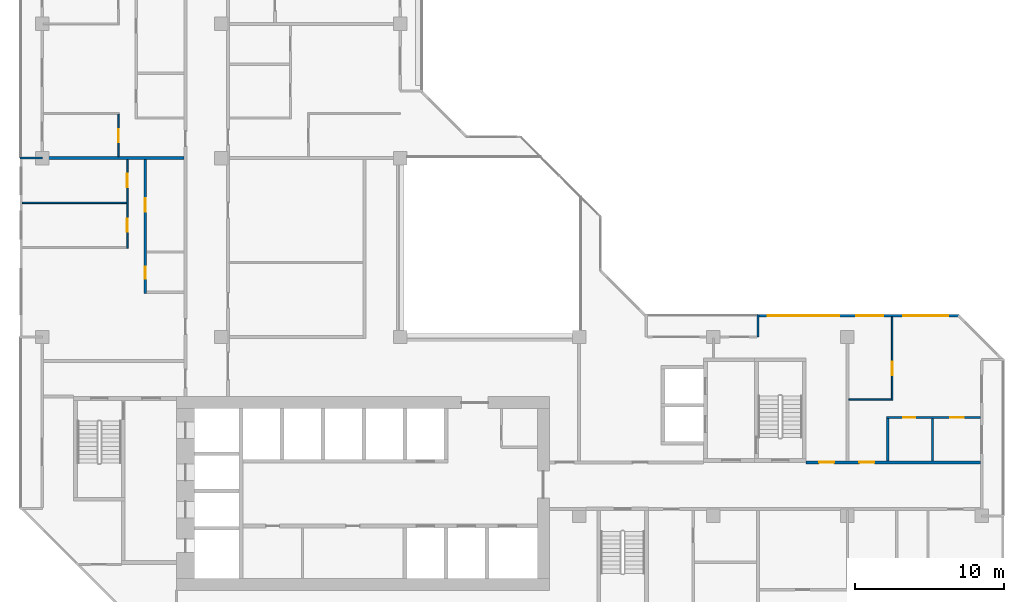
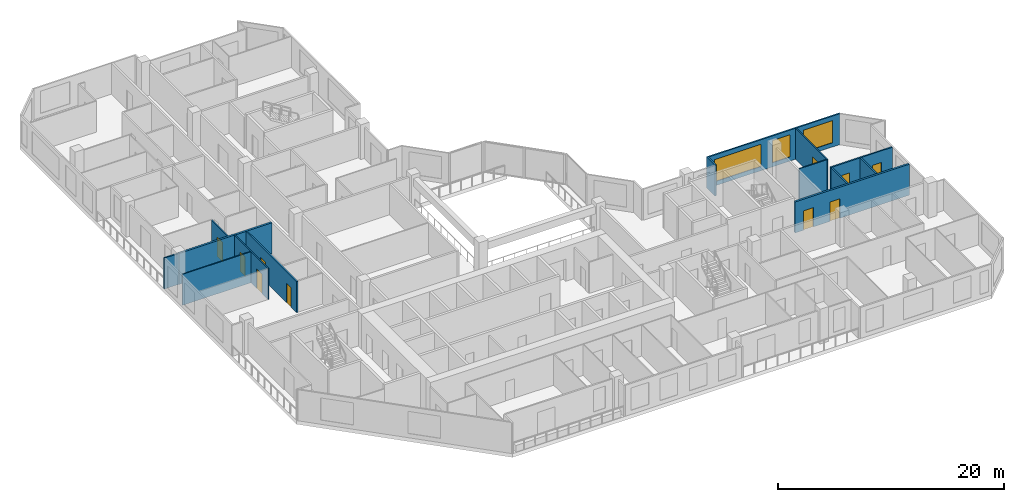
# One storey, part 8 of 14: 14 walls, 10 doors, 3 windows, 13 openings.
"""IFC4 building model written with IfcOpenShell, lengths in metres."""

from ifc_helpers import new_model, si_unit, direction, frame, frame_2d, origin, place, context, subcontext, project, spatial, rectangle, extrude, material, layer, layer_set, type_object, element, fill, save


model = new_model("IFC4")

# Units and contexts
model_context = context("Model", 3, precision=1e-05, world=origin(), true_north=direction((0.0, 1.0)))
body_context = subcontext(model_context, "Body", "Model", "MODEL_VIEW")
ifc_project = project(units=[si_unit("LENGTHUNIT", "METRE"), si_unit("AREAUNIT", "SQUARE_METRE"), si_unit("VOLUMEUNIT", "CUBIC_METRE"), si_unit("PLANEANGLEUNIT", "RADIAN"), si_unit("MASSUNIT", "GRAM", prefix="KILO")], contexts=[model_context])

# Site, building, storey
site_placement = place(None, origin())
site = spatial("IfcSite", under=ifc_project, at=site_placement, CompositionType="ELEMENT")
building_placement = place(site_placement, origin())
building = spatial("IfcBuilding", under=site, at=building_placement, Name="Chenar Terraces", CompositionType="ELEMENT")
storey_placement = place(building_placement, frame((0.0, 0.0, 183.64990234375)))
storey = spatial("IfcBuildingStorey", under=building, at=storey_placement, Name="L42", CompositionType="ELEMENT", Elevation=183.64990234375)

# Wall, openings, doors
ifc_material_1 = material(Name="Gypsum board on steel studs with fire boards", Category="steel")
ifc_layer_1 = layer(ifc_material_1, 0.199951171875)
ifc_layer_set_1 = layer_set([ifc_layer_1], Name="Gypsum board on steel studs with fire boards")
wall_type_1 = type_object("IfcWallType", Name="Corridor wall 200", PredefinedType="PARTITIONING", material=ifc_layer_set_1)
wall_1_placement = place(storey_placement, frame((51.22509765625, 15.60009765625, 0.0), z_axis=(0.0, 0.0, 1.0), x_axis=(1.0, 0.0, 0.0)))
wall_1 = element("IfcWall", 1, at=wall_1_placement, inside=storey, type_object=wall_type_1, Name="Partition L42-074", PredefinedType="PARTITIONING", context=body_context, shape_type="SweptSolid", body=[
    extrude(rectangle(XDim=11.700927734375, YDim=0.199951171875, at=frame_2d((5.8505859375, 0.0))), origin(), (0.0, 0.0, 1.0), 3.35009765625),
])
opening_1_placement = place(wall_1_placement, frame((3.574951171875, 0.0, 0.0)))
opening_1 = element("IfcOpeningElement", 2, at=opening_1_placement, cuts=wall_1, Name="Opening DL42-7", PredefinedType="OPENING", context=body_context, shape_type="SweptSolid", body=[
    extrude(rectangle(XDim=1.0, YDim=2.10009765625, at=frame_2d((0.5, 1.050048828125))), frame((0.0, 0.10986328125, 0.0), z_axis=(0.0, -1.0, 0.0), x_axis=(1.0, 0.0, 0.0)), (0.0, 0.0, 1.0), 0.219970703125),
])
opening_2_placement = place(wall_1_placement, frame((0.875, 0.0, 0.0)))
opening_2 = element("IfcOpeningElement", 3, at=opening_2_placement, cuts=wall_1, Name="Opening DL42-38", PredefinedType="OPENING", context=body_context, shape_type="SweptSolid", body=[
    extrude(rectangle(XDim=1.0, YDim=2.10009765625, at=frame_2d((0.5, 1.050048828125))), frame((0.0, 0.10986328125, 0.0), z_axis=(0.0, -1.0, 0.0), x_axis=(1.0, 0.0, 0.0)), (0.0, 0.0, 1.0), 0.219970703125),
])
ifc_material_2 = material(Name="Steel-framed fire-resisting door leaf", Category="steel")
door_type_1 = type_object("IfcDoorType", Name="Fire door FD30S 1000 x 2100", OperationType="SINGLE_SWING_LEFT", PredefinedType="DOOR", material=ifc_material_2)
door_1_placement = place(opening_1_placement, origin())
door_1 = element("IfcDoor", 4, at=door_1_placement, inside=storey, type_object=door_type_1, Name="Door DL42-7", OperationType="SINGLE_SWING_LEFT", OverallHeight=2.10009765625, OverallWidth=1.0, PredefinedType="DOOR", context=body_context, shape_type="SweptSolid", body=[
    extrude(rectangle(XDim=1.0, YDim=2.10009765625, at=frame_2d((0.5, 1.050048828125))), frame((0.0, 0.02490234375, 0.0), z_axis=(0.0, -1.0, 0.0), x_axis=(1.0, 0.0, 0.0)), (0.0, 0.0, 1.0), 0.050048828125),
])
fill(opening_1, door_1)
door_2_placement = place(opening_2_placement, origin())
door_2 = element("IfcDoor", 5, at=door_2_placement, inside=storey, type_object=door_type_1, Name="Door DL42-38", OperationType="SINGLE_SWING_RIGHT", OverallHeight=2.10009765625, OverallWidth=1.0, PredefinedType="DOOR", context=body_context, shape_type="SweptSolid", body=[
    extrude(rectangle(XDim=1.0, YDim=2.10009765625, at=frame_2d((0.5, 1.050048828125))), frame((0.0, 0.02490234375, 0.0), z_axis=(0.0, -1.0, 0.0), x_axis=(1.0, 0.0, 0.0)), (0.0, 0.0, 1.0), 0.050048828125),
])
fill(opening_2, door_2)

# Wall, openings, windows
ifc_material_3 = material(Name="Aluminium framed glazing", Category="aluminium")
ifc_layer_2 = layer(ifc_material_3, 0.14990234375)
ifc_layer_set_2 = layer_set([ifc_layer_2], Name="Aluminium framed glazing")
wall_type_2 = type_object("IfcWallType", Name="Glazed flush facade wall 150", PredefinedType="SOLIDWALL", material=ifc_layer_set_2)
wall_2_placement = place(storey_placement, frame((61.5, 25.425048828125, 0.0), z_axis=(0.0, 0.0, 1.0), x_axis=(-1.0, 0.0, 0.0)))
wall_2 = element("IfcWall", 6, at=wall_2_placement, inside=storey, type_object=wall_type_2, Name="Glazed flush facade wall", PredefinedType="SOLIDWALL", context=body_context, shape_type="SweptSolid", body=[
    extrude(rectangle(XDim=13.425048828125, YDim=0.14990234375, at=frame_2d((6.71240234375, 0.0))), origin(), (0.0, 0.0, 1.0), 3.35009765625),
])
opening_3_placement = place(wall_2_placement, frame((0.75, 0.0, 0.449951171875)))
opening_3 = element("IfcOpeningElement", 7, at=opening_3_placement, cuts=wall_2, Name="Opening W300x240", PredefinedType="OPENING", context=body_context, shape_type="SweptSolid", body=[
    extrude(rectangle(XDim=3.0, YDim=2.39990234375, at=frame_2d((1.5, 1.199951171875))), frame((0.0, 0.0849609375, 0.0), z_axis=(0.0, -1.0, 0.0), x_axis=(1.0, 0.0, 0.0)), (0.0, 0.0, 1.0), 0.169921875),
])
opening_4_placement = place(wall_2_placement, frame((5.10009765625, 0.0, 0.449951171875)))
opening_4 = element("IfcOpeningElement", 8, at=opening_4_placement, cuts=wall_2, Name="Opening W180x240", PredefinedType="OPENING", context=body_context, shape_type="SweptSolid", body=[
    extrude(rectangle(XDim=1.800048828125, YDim=2.39990234375, at=frame_2d((0.89990234375, 1.199951171875))), frame((0.0, 0.0849609375, 0.0), z_axis=(0.0, -1.0, 0.0), x_axis=(1.0, 0.0, 0.0)), (0.0, 0.0, 1.0), 0.169921875),
])
opening_5_placement = place(wall_2_placement, frame((8.0625, 0.0, 0.449951171875)))
opening_5 = element("IfcOpeningElement", 9, at=opening_5_placement, cuts=wall_2, Name="Opening W480x240", PredefinedType="OPENING", context=body_context, shape_type="SweptSolid", body=[
    extrude(rectangle(XDim=4.800048828125, YDim=2.39990234375, at=frame_2d((2.39990234375, 1.199951171875))), frame((0.0, 0.0849609375, 0.0), z_axis=(0.0, -1.0, 0.0), x_axis=(1.0, 0.0, 0.0)), (0.0, 0.0, 1.0), 0.169921875),
])
ifc_material_4 = material(Name="Low emissivity double glazing, aluminium frame", Category="aluminium")
window_type_1 = type_object("IfcWindowType", Name="Fixed light 1800 x 2400", PartitioningType="SINGLE_PANEL", PredefinedType="WINDOW", material=ifc_material_4)
window_1_placement = place(opening_4_placement, origin())
window_1 = element("IfcWindow", 10, at=window_1_placement, inside=storey, type_object=window_type_1, Name="Window", OverallHeight=2.39990234375, OverallWidth=1.800048828125, PartitioningType="SINGLE_PANEL", PredefinedType="WINDOW", context=body_context, shape_type="SweptSolid", body=[
    extrude(rectangle(XDim=1.800048828125, YDim=2.39990234375, at=frame_2d((0.89990234375, 1.199951171875))), frame((0.0, 0.030029296875, 0.0), z_axis=(0.0, -1.0, 0.0), x_axis=(1.0, 0.0, 0.0)), (0.0, 0.0, 1.0), 0.06005859375),
])
fill(opening_4, window_1)
ifc_material_5 = material(Name="Low emissivity double glazing, aluminium frame", Category="aluminium")
window_type_2 = type_object("IfcWindowType", Name="Fixed light 3000 x 2400", PartitioningType="SINGLE_PANEL", PredefinedType="WINDOW", material=ifc_material_5)
window_2_placement = place(opening_3_placement, origin())
window_2 = element("IfcWindow", 11, at=window_2_placement, inside=storey, type_object=window_type_2, Name="Window", OverallHeight=2.39990234375, OverallWidth=3.0, PartitioningType="SINGLE_PANEL", PredefinedType="WINDOW", context=body_context, shape_type="SweptSolid", body=[
    extrude(rectangle(XDim=3.0, YDim=2.39990234375, at=frame_2d((1.5, 1.199951171875))), frame((0.0, 0.030029296875, 0.0), z_axis=(0.0, -1.0, 0.0), x_axis=(1.0, 0.0, 0.0)), (0.0, 0.0, 1.0), 0.06005859375),
])
fill(opening_3, window_2)
ifc_material_6 = material(Name="Low emissivity double glazing, aluminium frame", Category="aluminium")
window_type_3 = type_object("IfcWindowType", Name="Fixed light 4800 x 2400", PartitioningType="SINGLE_PANEL", PredefinedType="WINDOW", material=ifc_material_6)
window_3_placement = place(opening_5_placement, origin())
window_3 = element("IfcWindow", 12, at=window_3_placement, inside=storey, type_object=window_type_3, Name="Window", OverallHeight=2.39990234375, OverallWidth=4.800048828125, PartitioningType="SINGLE_PANEL", PredefinedType="WINDOW", context=body_context, shape_type="SweptSolid", body=[
    extrude(rectangle(XDim=4.800048828125, YDim=2.39990234375, at=frame_2d((2.39990234375, 1.199951171875))), frame((0.0, 0.030029296875, 0.0), z_axis=(0.0, -1.0, 0.0), x_axis=(1.0, 0.0, 0.0)), (0.0, 0.0, 1.0), 0.06005859375),
])
fill(opening_5, window_3)

# Wall
ifc_material_7 = material(Name="Gypsum board on steel studs", Category="steel")
ifc_layer_3 = layer(ifc_material_7, 0.10009765625)
ifc_layer_set_3 = layer_set([ifc_layer_3], Name="Gypsum board on steel studs")
wall_type_3 = type_object("IfcWallType", Name="Gypsum partition 100", PredefinedType="PARTITIONING", material=ifc_layer_set_3)
wall_3_placement = place(storey_placement, frame((-1.35107421875, 33.0, 0.0), z_axis=(0.0, 0.0, 1.0), x_axis=(1.0, 0.0, 0.0)))
element("IfcWall", 13, at=wall_3_placement, inside=storey, type_object=wall_type_3, Name="Partition L42-001", PredefinedType="PARTITIONING", context=body_context, shape_type="SweptSolid", body=[
    extrude(rectangle(XDim=7.0009765625, YDim=0.10009765625, at=frame_2d((3.50048828125, 0.0))), origin(), (0.0, 0.0, 1.0), 3.35009765625),
])

# Wall, opening, door
wall_4_placement = place(storey_placement, frame((5.10009765625, 36.10009765625, 0.0), z_axis=(0.0, 0.0, 1.0), x_axis=(0.0, 1.0, 0.0)))
wall_4 = element("IfcWall", 14, at=wall_4_placement, inside=storey, type_object=wall_type_3, Name="Partition L42-013", PredefinedType="PARTITIONING", context=body_context, shape_type="SweptSolid", body=[
    extrude(rectangle(XDim=2.849853515625, YDim=0.10009765625, at=frame_2d((1.4248046875, 0.0))), origin(), (0.0, 0.0, 1.0), 3.35009765625),
])
opening_6_placement = place(wall_4_placement, frame((0.949951171875, 0.0, 0.0)))
opening_6 = element("IfcOpeningElement", 15, at=opening_6_placement, cuts=wall_4, Name="Opening DL42-24", PredefinedType="OPENING", context=body_context, shape_type="SweptSolid", body=[
    extrude(rectangle(XDim=0.89990234375, YDim=2.10009765625, at=frame_2d((0.449951171875, 1.050048828125))), frame((0.0, 0.06005859375, 0.0), z_axis=(0.0, -1.0, 0.0), x_axis=(1.0, 0.0, 0.0)), (0.0, 0.0, 1.0), 0.1201171875),
])
ifc_material_8 = material(Name="Veneered timber door leaf", Category="wood")
door_type_2 = type_object("IfcDoorType", Name="Door 900 x 2100", OperationType="SINGLE_SWING_LEFT", PredefinedType="DOOR", material=ifc_material_8)
door_3_placement = place(opening_6_placement, origin())
door_3 = element("IfcDoor", 16, at=door_3_placement, inside=storey, type_object=door_type_2, Name="Door DL42-24", OperationType="SINGLE_SWING_RIGHT", OverallHeight=2.10009765625, OverallWidth=0.89990234375, PredefinedType="DOOR", context=body_context, shape_type="SweptSolid", body=[
    extrude(rectangle(XDim=0.89990234375, YDim=2.10009765625, at=frame_2d((0.449951171875, 1.050048828125))), frame((0.0, 0.02490234375, 0.0), z_axis=(0.0, -1.0, 0.0), x_axis=(1.0, 0.0, 0.0)), (0.0, 0.0, 1.0), 0.050048828125),
])
fill(opening_6, door_3)

# Wall, openings, doors
wall_5_placement = place(storey_placement, frame((5.699951171875, 29.949951171875, 0.0), z_axis=(0.0, 0.0, 1.0), x_axis=(0.0, 1.0, 0.0)))
wall_5 = element("IfcWall", 17, at=wall_5_placement, inside=storey, type_object=wall_type_3, Name="Partition L42-018", PredefinedType="PARTITIONING", context=body_context, shape_type="SweptSolid", body=[
    extrude(rectangle(XDim=5.949951171875, YDim=0.10009765625, at=frame_2d((2.97509765625, 0.0))), origin(), (0.0, 0.0, 1.0), 3.35009765625),
])
opening_7_placement = place(wall_5_placement, frame((1.10009765625, 0.0, 0.0)))
opening_7 = element("IfcOpeningElement", 18, at=opening_7_placement, cuts=wall_5, Name="Opening DL42-54", PredefinedType="OPENING", context=body_context, shape_type="SweptSolid", body=[
    extrude(rectangle(XDim=0.89990234375, YDim=2.10009765625, at=frame_2d((0.449951171875, 1.050048828125))), frame((0.0, 0.06005859375, 0.0), z_axis=(0.0, -1.0, 0.0), x_axis=(1.0, 0.0, 0.0)), (0.0, 0.0, 1.0), 0.1201171875),
])
opening_8_placement = place(wall_5_placement, frame((4.10009765625, 0.0, 0.0)))
opening_8 = element("IfcOpeningElement", 19, at=opening_8_placement, cuts=wall_5, Name="Opening DL42-55", PredefinedType="OPENING", context=body_context, shape_type="SweptSolid", body=[
    extrude(rectangle(XDim=0.89990234375, YDim=2.10009765625, at=frame_2d((0.449951171875, 1.050048828125))), frame((0.0, 0.06005859375, 0.0), z_axis=(0.0, -1.0, 0.0), x_axis=(1.0, 0.0, 0.0)), (0.0, 0.0, 1.0), 0.1201171875),
])
door_4_placement = place(opening_7_placement, origin())
door_4 = element("IfcDoor", 20, at=door_4_placement, inside=storey, type_object=door_type_2, Name="Door DL42-54", OperationType="SINGLE_SWING_LEFT", OverallHeight=2.10009765625, OverallWidth=0.89990234375, PredefinedType="DOOR", context=body_context, shape_type="SweptSolid", body=[
    extrude(rectangle(XDim=0.89990234375, YDim=2.10009765625, at=frame_2d((0.449951171875, 1.050048828125))), frame((0.0, 0.02490234375, 0.0), z_axis=(0.0, -1.0, 0.0), x_axis=(1.0, 0.0, 0.0)), (0.0, 0.0, 1.0), 0.050048828125),
])
fill(opening_7, door_4)
door_5_placement = place(opening_8_placement, origin())
door_5 = element("IfcDoor", 21, at=door_5_placement, inside=storey, type_object=door_type_2, Name="Door DL42-55", OperationType="SINGLE_SWING_RIGHT", OverallHeight=2.10009765625, OverallWidth=0.89990234375, PredefinedType="DOOR", context=body_context, shape_type="SweptSolid", body=[
    extrude(rectangle(XDim=0.89990234375, YDim=2.10009765625, at=frame_2d((0.449951171875, 1.050048828125))), frame((0.0, 0.02490234375, 0.0), z_axis=(0.0, -1.0, 0.0), x_axis=(1.0, 0.0, 0.0)), (0.0, 0.0, 1.0), 0.050048828125),
])
fill(opening_8, door_5)

# Wall
wall_6_placement = place(storey_placement, frame((54.10009765625, 19.800048828125, 0.0), z_axis=(0.0, 0.0, 1.0), x_axis=(1.0, 0.0, 0.0)))
element("IfcWall", 22, at=wall_6_placement, inside=storey, type_object=wall_type_3, Name="Partition L42-077", PredefinedType="PARTITIONING", context=body_context, shape_type="SweptSolid", body=[
    extrude(rectangle(XDim=2.849853515625, YDim=0.10009765625, at=frame_2d((1.4248046875, 0.0))), origin(), (0.0, 0.0, 1.0), 3.35009765625),
])

# Wall, opening, door
wall_7_placement = place(storey_placement, frame((57.0, 19.75, 0.0), z_axis=(0.0, 0.0, 1.0), x_axis=(0.0, 1.0, 0.0)))
wall_7 = element("IfcWall", 23, at=wall_7_placement, inside=storey, type_object=wall_type_3, Name="Partition L42-082", PredefinedType="PARTITIONING", context=body_context, shape_type="SweptSolid", body=[
    extrude(rectangle(XDim=5.60009765625, YDim=0.10009765625, at=frame_2d((2.800048828125, 0.0))), origin(), (0.0, 0.0, 1.0), 3.35009765625),
])
opening_9_placement = place(wall_7_placement, frame((1.699951171875, 0.0, 0.0)))
opening_9 = element("IfcOpeningElement", 24, at=opening_9_placement, cuts=wall_7, Name="Opening DL42-5", PredefinedType="OPENING", context=body_context, shape_type="SweptSolid", body=[
    extrude(rectangle(XDim=0.89990234375, YDim=2.10009765625, at=frame_2d((0.449951171875, 1.050048828125))), frame((0.0, 0.06005859375, 0.0), z_axis=(0.0, -1.0, 0.0), x_axis=(1.0, 0.0, 0.0)), (0.0, 0.0, 1.0), 0.1201171875),
])
door_6_placement = place(opening_9_placement, origin())
door_6 = element("IfcDoor", 25, at=door_6_placement, inside=storey, type_object=door_type_2, Name="Door DL42-5", OperationType="SINGLE_SWING_LEFT", OverallHeight=2.10009765625, OverallWidth=0.89990234375, PredefinedType="DOOR", context=body_context, shape_type="SweptSolid", body=[
    extrude(rectangle(XDim=0.89990234375, YDim=2.10009765625, at=frame_2d((0.449951171875, 1.050048828125))), frame((0.0, 0.02490234375, 0.0), z_axis=(0.0, -1.0, 0.0), x_axis=(1.0, 0.0, 0.0)), (0.0, 0.0, 1.0), 0.050048828125),
])
fill(opening_9, door_6)

# Walls
ifc_material_9 = material(Name="Terracotta cladding on insulated backing", Category="masonry")
ifc_layer_4 = layer(ifc_material_9, 0.14990234375)
ifc_layer_set_4 = layer_set([ifc_layer_4], Name="Terracotta cladding on insulated backing")
wall_type_4 = type_object("IfcWallType", Name="Loggia return wall 150", PredefinedType="SOLIDWALL", material=ifc_layer_set_4)
for number, where, z_axis, x_axis, name in (
    (26, (48.0, 25.5, 0.0), (0.0, 0.0, 1.0), (0.0, -1.0, 0.0), "Loggia return wall"),
    (27, (-1.5, 36.0, 0.0), (0.0, 0.0, 1.0), (1.0, 0.0, 0.0), "Loggia return wall"),
):
    element("IfcWall", number, at=place(storey_placement, frame(where, z_axis=z_axis, x_axis=x_axis)), inside=storey, type_object=wall_type_4, Name=name, PredefinedType="SOLIDWALL", context=body_context, shape_type="SweptSolid", body=[
        extrude(rectangle(XDim=1.5, YDim=0.14990234375, at=frame_2d((0.75, 0.0))), origin(), (0.0, 0.0, 1.0), 3.35009765625),
    ])
ifc_material_10 = material(Name="Twin gypsum board on steel studs with mineral wool", Category="steel")
ifc_layer_5 = layer(ifc_material_10, 0.199951171875)
ifc_layer_set_5 = layer_set([ifc_layer_5], Name="Twin gypsum board on steel studs with mineral wool")
wall_type_5 = type_object("IfcWallType", Name="Unit demising wall 200", PredefinedType="PARTITIONING", material=ifc_layer_set_5)
wall_8_placement = place(storey_placement, frame((0.0, 36.0, 0.0), z_axis=(0.0, 0.0, 1.0), x_axis=(1.0, 0.0, 0.0)))
element("IfcWall", 28, at=wall_8_placement, inside=storey, type_object=wall_type_5, Name="Partition L42-003", PredefinedType="PARTITIONING", context=body_context, shape_type="SweptSolid", body=[
    extrude(rectangle(XDim=9.5, YDim=0.199951171875, at=frame_2d((4.75, 0.0))), origin(), (0.0, 0.0, 1.0), 3.35009765625),
])

# Wall, openings, doors
ifc_material_11 = material(Name="Moisture-resistant gypsum board on steel studs", Category="steel")
ifc_layer_6 = layer(ifc_material_11, 0.14990234375)
ifc_layer_set_6 = layer_set([ifc_layer_6], Name="Moisture-resistant gypsum board on steel studs")
wall_type_6 = type_object("IfcWallType", Name="Wet-room partition 150", PredefinedType="PARTITIONING", material=ifc_layer_set_6)
wall_9_placement = place(storey_placement, frame((6.89990234375, 26.925048828125, 0.0), z_axis=(0.0, 0.0, 1.0), x_axis=(0.0, 1.0, 0.0)))
wall_9 = element("IfcWall", 29, at=wall_9_placement, inside=storey, type_object=wall_type_6, Name="Partition L42-026", PredefinedType="PARTITIONING", context=body_context, shape_type="SweptSolid", body=[
    extrude(rectangle(XDim=8.974853515625, YDim=0.14990234375, at=frame_2d((4.4873046875, 0.0))), origin(), (0.0, 0.0, 1.0), 3.35009765625),
])
opening_10_placement = place(wall_9_placement, frame((0.97509765625, 0.0, 0.0)))
opening_10 = element("IfcOpeningElement", 30, at=opening_10_placement, cuts=wall_9, Name="Opening DL42-53", PredefinedType="OPENING", context=body_context, shape_type="SweptSolid", body=[
    extrude(rectangle(XDim=0.800048828125, YDim=2.10009765625, at=frame_2d((0.39990234375, 1.050048828125))), frame((0.0, 0.0849609375, 0.0), z_axis=(0.0, -1.0, 0.0), x_axis=(1.0, 0.0, 0.0)), (0.0, 0.0, 1.0), 0.169921875),
])
opening_11_placement = place(wall_9_placement, frame((5.47509765625, 0.0, 0.0)))
opening_11 = element("IfcOpeningElement", 31, at=opening_11_placement, cuts=wall_9, Name="Opening DL42-56", PredefinedType="OPENING", context=body_context, shape_type="SweptSolid", body=[
    extrude(rectangle(XDim=0.89990234375, YDim=2.10009765625, at=frame_2d((0.449951171875, 1.050048828125))), frame((0.0, 0.0849609375, 0.0), z_axis=(0.0, -1.0, 0.0), x_axis=(1.0, 0.0, 0.0)), (0.0, 0.0, 1.0), 0.169921875),
])
ifc_material_12 = material(Name="Veneered timber door leaf", Category="wood")
door_type_3 = type_object("IfcDoorType", Name="Door 800 x 2100", OperationType="SINGLE_SWING_LEFT", PredefinedType="DOOR", material=ifc_material_12)
door_7_placement = place(opening_10_placement, frame((0.800048828125, 0.0, 0.0), z_axis=(0.0, 0.0, 1.0), x_axis=(-1.0, 0.0, 0.0)))
door_7 = element("IfcDoor", 32, at=door_7_placement, inside=storey, type_object=door_type_3, Name="Door DL42-53", OperationType="SINGLE_SWING_RIGHT", OverallHeight=2.10009765625, OverallWidth=0.800048828125, PredefinedType="DOOR", context=body_context, shape_type="SweptSolid", body=[
    extrude(rectangle(XDim=0.800048828125, YDim=2.10009765625, at=frame_2d((0.39990234375, 1.050048828125))), frame((0.0, 0.02490234375, 0.0), z_axis=(0.0, -1.0, 0.0), x_axis=(1.0, 0.0, 0.0)), (0.0, 0.0, 1.0), 0.050048828125),
])
fill(opening_10, door_7)
door_8_placement = place(opening_11_placement, frame((0.89990234375, 0.0, 0.0), z_axis=(0.0, 0.0, 1.0), x_axis=(-1.0, 0.0, 0.0)))
door_8 = element("IfcDoor", 33, at=door_8_placement, inside=storey, type_object=door_type_2, Name="Door DL42-56", OperationType="SINGLE_SWING_RIGHT", OverallHeight=2.10009765625, OverallWidth=0.89990234375, PredefinedType="DOOR", context=body_context, shape_type="SweptSolid", body=[
    extrude(rectangle(XDim=0.89990234375, YDim=2.10009765625, at=frame_2d((0.449951171875, 1.050048828125))), frame((0.0, 0.02490234375, 0.0), z_axis=(0.0, -1.0, 0.0), x_axis=(1.0, 0.0, 0.0)), (0.0, 0.0, 1.0), 0.050048828125),
])
fill(opening_11, door_8)

wall_10_placement = place(storey_placement, frame((56.625, 18.60009765625, 0.0), z_axis=(0.0, 0.0, 1.0), x_axis=(1.0, 0.0, 0.0)))
wall_10 = element("IfcWall", 34, at=wall_10_placement, inside=storey, type_object=wall_type_6, Name="Partition L42-078", PredefinedType="PARTITIONING", context=body_context, shape_type="SweptSolid", body=[
    extrude(rectangle(XDim=6.301025390625, YDim=0.14990234375, at=frame_2d((3.150390625, 0.0))), origin(), (0.0, 0.0, 1.0), 3.35009765625),
])
opening_12_placement = place(wall_10_placement, frame((1.125, 0.0, 0.0)))
opening_12 = element("IfcOpeningElement", 35, at=opening_12_placement, cuts=wall_10, Name="Opening DL42-4", PredefinedType="OPENING", context=body_context, shape_type="SweptSolid", body=[
    extrude(rectangle(XDim=0.800048828125, YDim=2.10009765625, at=frame_2d((0.39990234375, 1.050048828125))), frame((0.0, 0.0849609375, 0.0), z_axis=(0.0, -1.0, 0.0), x_axis=(1.0, 0.0, 0.0)), (0.0, 0.0, 1.0), 0.169921875),
])
opening_13_placement = place(wall_10_placement, frame((4.27490234375, 0.0, 0.0)))
opening_13 = element("IfcOpeningElement", 36, at=opening_13_placement, cuts=wall_10, Name="Opening DL42-6", PredefinedType="OPENING", context=body_context, shape_type="SweptSolid", body=[
    extrude(rectangle(XDim=0.89990234375, YDim=2.10009765625, at=frame_2d((0.449951171875, 1.050048828125))), frame((0.0, 0.0849609375, 0.0), z_axis=(0.0, -1.0, 0.0), x_axis=(1.0, 0.0, 0.0)), (0.0, 0.0, 1.0), 0.169921875),
])
door_9_placement = place(opening_12_placement, frame((0.800048828125, 0.0, 0.0), z_axis=(0.0, 0.0, 1.0), x_axis=(-1.0, 0.0, 0.0)))
door_9 = element("IfcDoor", 37, at=door_9_placement, inside=storey, type_object=door_type_3, Name="Door DL42-4", OperationType="SINGLE_SWING_RIGHT", OverallHeight=2.10009765625, OverallWidth=0.800048828125, PredefinedType="DOOR", context=body_context, shape_type="SweptSolid", body=[
    extrude(rectangle(XDim=0.800048828125, YDim=2.10009765625, at=frame_2d((0.39990234375, 1.050048828125))), frame((0.0, 0.02490234375, 0.0), z_axis=(0.0, -1.0, 0.0), x_axis=(1.0, 0.0, 0.0)), (0.0, 0.0, 1.0), 0.050048828125),
])
fill(opening_12, door_9)
door_10_placement = place(opening_13_placement, frame((0.89990234375, 0.0, 0.0), z_axis=(0.0, 0.0, 1.0), x_axis=(-1.0, 0.0, 0.0)))
door_10 = element("IfcDoor", 38, at=door_10_placement, inside=storey, type_object=door_type_2, Name="Door DL42-6", OperationType="SINGLE_SWING_RIGHT", OverallHeight=2.10009765625, OverallWidth=0.89990234375, PredefinedType="DOOR", context=body_context, shape_type="SweptSolid", body=[
    extrude(rectangle(XDim=0.89990234375, YDim=2.10009765625, at=frame_2d((0.449951171875, 1.050048828125))), frame((0.0, 0.02490234375, 0.0), z_axis=(0.0, -1.0, 0.0), x_axis=(1.0, 0.0, 0.0)), (0.0, 0.0, 1.0), 0.050048828125),
])
fill(opening_13, door_10)

# Walls
for number, where, z_axis, x_axis, name in (
    (39, (56.699951171875, 15.699951171875, 0.0), (0.0, 0.0, 1.0), (0.0, 1.0, 0.0), "Partition L42-079"),
    (40, (59.699951171875, 15.699951171875, 0.0), (0.0, 0.0, 1.0), (0.0, 1.0, 0.0), "Partition L42-085"),
):
    element("IfcWall", number, at=place(storey_placement, frame(where, z_axis=z_axis, x_axis=x_axis)), inside=storey, type_object=wall_type_6, Name=name, PredefinedType="PARTITIONING", context=body_context, shape_type="SweptSolid", body=[
        extrude(rectangle(XDim=2.824951171875, YDim=0.14990234375, at=frame_2d((1.41259765625, 0.0))), origin(), (0.0, 0.0, 1.0), 3.35009765625),
    ])

save(model, "model.ifc")
